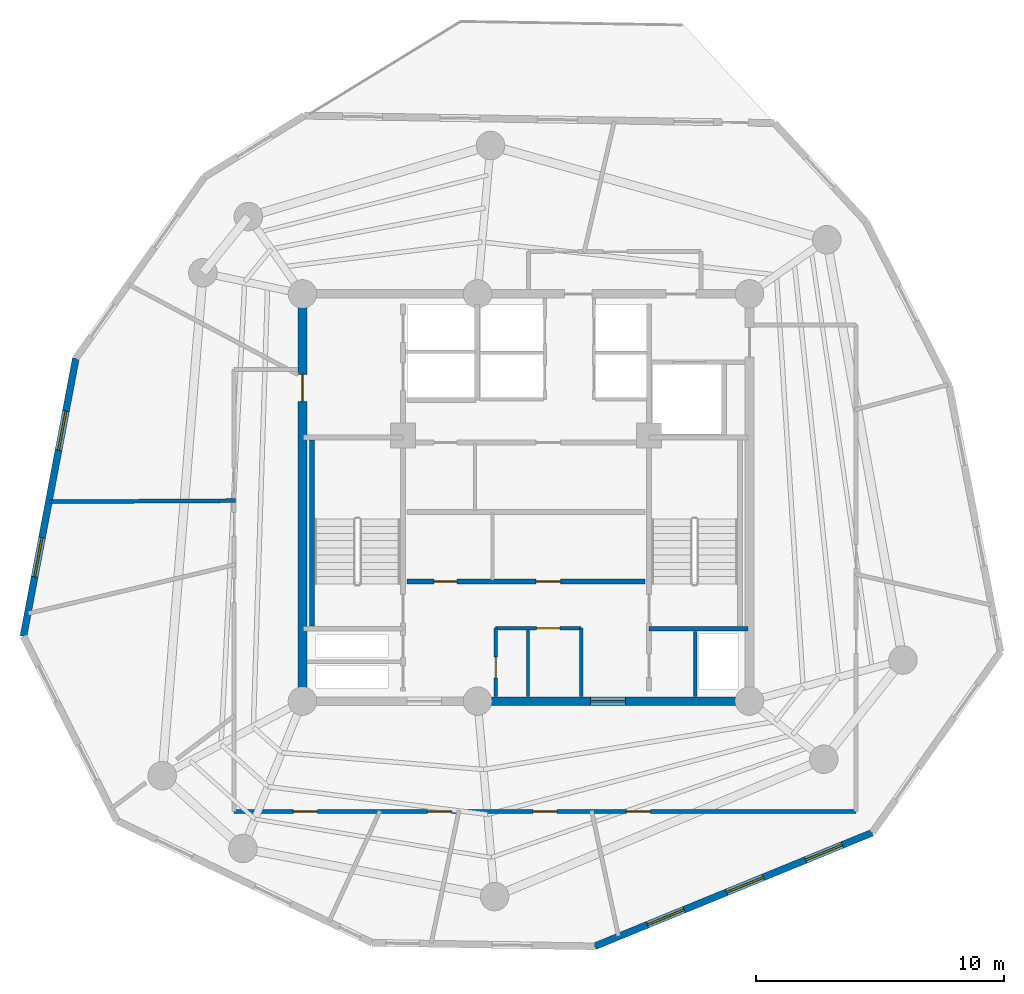
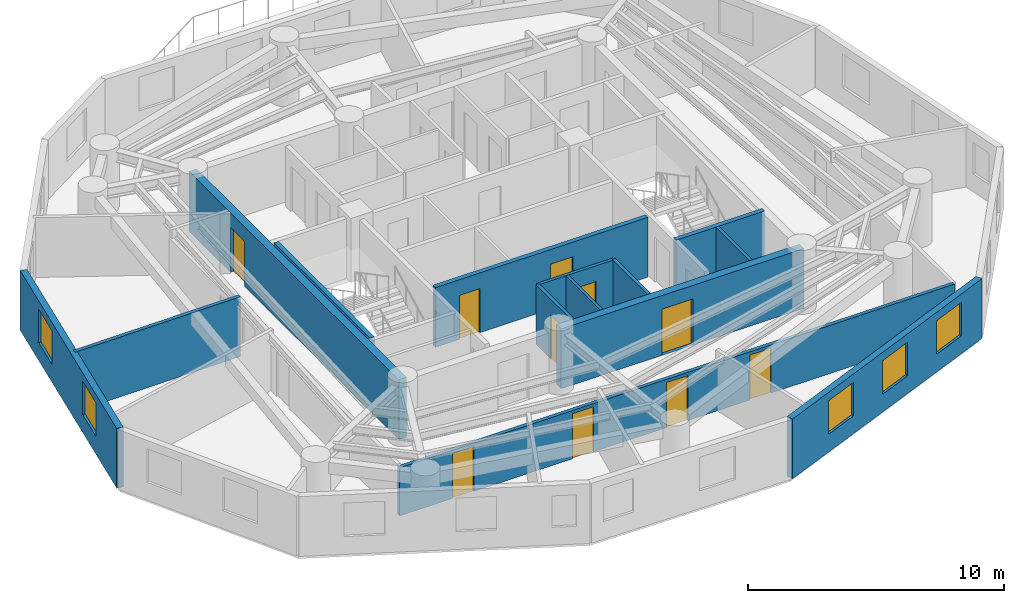
# One storey, part 3 of 7: 14 walls, 10 doors, 5 windows, 15 openings.
"""IFC4 building model written with IfcOpenShell, lengths in metres."""

from ifc_helpers import new_model, si_unit, direction, frame, frame_2d, origin, origin_with_axes, place, context, subcontext, project, spatial, rectangle, extrude, source, transform, mapped, material, layer, layer_set, type_object, element, fill, save


model = new_model("IFC4")

# Units and contexts
model_context = context("Model", 3, precision=1e-05, world=origin(), true_north=direction((0.0, 1.0)))
body_context = subcontext(model_context, "Body", "Model", "MODEL_VIEW")
ifc_project = project(units=[si_unit("LENGTHUNIT", "METRE"), si_unit("AREAUNIT", "SQUARE_METRE"), si_unit("VOLUMEUNIT", "CUBIC_METRE"), si_unit("PLANEANGLEUNIT", "RADIAN"), si_unit("MASSUNIT", "GRAM", prefix="KILO")], contexts=[model_context])

# Site, building, storey
site_placement = place(None, origin())
site = spatial("IfcSite", under=ifc_project, at=site_placement, CompositionType="ELEMENT")
building_placement = place(site_placement, origin())
building = spatial("IfcBuilding", under=site, at=building_placement, Name="Karkom Vertical University and Central Library", CompositionType="ELEMENT")
storey_placement = place(building_placement, frame((0.0, 0.0, 253.5)))
storey = spatial("IfcBuildingStorey", under=building, at=storey_placement, Name="L75", CompositionType="ELEMENT", Elevation=253.5)

# Wall, openings, windows
ifc_material_1 = material(Name="Brick-faced precast concrete C45/55", Category="masonry")
ifc_layer_1 = layer(ifc_material_1, 0.280029296875)
ifc_layer_set_1 = layer_set([ifc_layer_1], Name="Brick-faced precast concrete C45/55")
wall_type_1 = type_object("IfcWallType", Name="ENV-WL-BRK-280", PredefinedType="SOLIDWALL", material=ifc_layer_set_1)
wall_1_placement = place(storey_placement, frame((31.2607421875, 8.421875, 0.0), z_axis=(0.0, 0.0, 1.0), x_axis=(0.925486144164, 0.378781463328, 0.0)))
wall_1 = element("IfcWall", 1, at=wall_1_placement, inside=storey, type_object=wall_type_1, Name="Level 75 Brick-Faced Precast Facade Wall 03", PredefinedType="SOLIDWALL", context=body_context, shape_type="SweptSolid", body=[
    extrude(rectangle(XDim=12.089111328125, YDim=0.280029296875, at=frame_2d((6.04443359375, 0.0))), origin(), (0.0, 0.0, 1.0), 2.85009765625),
])
opening_1_placement = place(wall_1_placement, frame((2.30078125, 0.0, 0.85009765625)))
opening_1 = element("IfcOpeningElement", 2, at=opening_1_placement, cuts=wall_1, Name="Opening WN-10", PredefinedType="OPENING", context=body_context, shape_type="SweptSolid", body=[
    extrude(rectangle(XDim=1.60009765625, YDim=1.60009765625, at=frame_2d((0.800048828125, 0.800048828125))), frame((0.0, 0.14990234375, 0.0), z_axis=(0.0, -1.0, 0.0), x_axis=(1.0, 0.0, 0.0)), (0.0, 0.0, 1.0), 0.300048828125),
])
opening_2_placement = place(wall_1_placement, frame((5.743896484375, 0.0, 0.85009765625)))
opening_2 = element("IfcOpeningElement", 3, at=opening_2_placement, cuts=wall_1, Name="Opening WN-10", PredefinedType="OPENING", context=body_context, shape_type="SweptSolid", body=[
    extrude(rectangle(XDim=1.60009765625, YDim=1.60009765625, at=frame_2d((0.800048828125, 0.800048828125))), frame((0.0, 0.14990234375, 0.0), z_axis=(0.0, -1.0, 0.0), x_axis=(1.0, 0.0, 0.0)), (0.0, 0.0, 1.0), 0.300048828125),
])
opening_3_placement = place(wall_1_placement, frame((9.187255859375, 0.0, 0.85009765625)))
opening_3 = element("IfcOpeningElement", 4, at=opening_3_placement, cuts=wall_1, Name="Opening WN-10", PredefinedType="OPENING", context=body_context, shape_type="SweptSolid", body=[
    extrude(rectangle(XDim=1.60009765625, YDim=1.60009765625, at=frame_2d((0.800048828125, 0.800048828125))), frame((0.0, 0.14990234375, 0.0), z_axis=(0.0, -1.0, 0.0), x_axis=(1.0, 0.0, 0.0)), (0.0, 0.0, 1.0), 0.300048828125),
])
ifc_material_2 = material(Name="Aluminium thermal-break frame with solar-control IGU", Category="aluminium")
window_type = type_object("IfcWindowType", Name="ENV-WIN-WN-10", PartitioningType="SINGLE_PANEL", PredefinedType="WINDOW", material=ifc_material_2)
shared_shape_1 = source(origin_with_axes(), body_context, "Body", "SweptSolid", [
    extrude(rectangle(XDim=1.60009765625, YDim=1.60009765625, at=frame_2d((0.800048828125, 0.800048828125))), frame((0.0, 0.030029296875, 0.0), z_axis=(0.0, -1.0, 0.0), x_axis=(1.0, 0.0, 0.0)), (0.0, 0.0, 1.0), 0.06005859375),
])
window_1_placement = place(opening_1_placement, origin())
window_1 = element("IfcWindow", 5, at=window_1_placement, inside=storey, type_object=window_type, Name="Level 75 Punched Window 3.1", OverallHeight=1.60009765625, OverallWidth=1.60009765625, PartitioningType="SINGLE_PANEL", PredefinedType="WINDOW", context=body_context, shape_type="MappedRepresentation", body=[
    mapped(shared_shape_1, transform((0.0, 0.0, 0.0), scale=1.0)),
])
fill(opening_1, window_1)
window_2_placement = place(opening_2_placement, origin())
window_2 = element("IfcWindow", 6, at=window_2_placement, inside=storey, type_object=window_type, Name="Level 75 Punched Window 3.2", OverallHeight=1.60009765625, OverallWidth=1.60009765625, PartitioningType="SINGLE_PANEL", PredefinedType="WINDOW", context=body_context, shape_type="MappedRepresentation", body=[
    mapped(shared_shape_1, transform((0.0, 0.0, 0.0), scale=1.0)),
])
fill(opening_2, window_2)
window_3_placement = place(opening_3_placement, origin())
window_3 = element("IfcWindow", 7, at=window_3_placement, inside=storey, type_object=window_type, Name="Level 75 Punched Window 3.3", OverallHeight=1.60009765625, OverallWidth=1.60009765625, PartitioningType="SINGLE_PANEL", PredefinedType="WINDOW", context=body_context, shape_type="MappedRepresentation", body=[
    mapped(shared_shape_1, transform((0.0, 0.0, 0.0), scale=1.0)),
])
fill(opening_3, window_3)

wall_2_placement = place(storey_placement, frame((10.374267578125, 32.11181640625, 0.0), z_axis=(0.0, 0.0, 1.0), x_axis=(-0.185313823181, -0.982679391734, 0.0)))
wall_2 = element("IfcWall", 8, at=wall_2_placement, inside=storey, type_object=wall_type_1, Name="Level 75 Brick-Faced Precast Facade Wall 11", PredefinedType="SOLIDWALL", context=body_context, shape_type="SweptSolid", body=[
    extrude(rectangle(XDim=11.39990234375, YDim=0.280029296875, at=frame_2d((5.699951171875, 0.0))), origin(), (0.0, 0.0, 1.0), 2.85009765625),
])
opening_4_placement = place(wall_2_placement, frame((2.166259765625, 0.0, 0.85009765625)))
opening_4 = element("IfcOpeningElement", 9, at=opening_4_placement, cuts=wall_2, Name="Opening WN-10", PredefinedType="OPENING", context=body_context, shape_type="SweptSolid", body=[
    extrude(rectangle(XDim=1.60009765625, YDim=1.60009765625, at=frame_2d((0.800048828125, 0.800048828125))), frame((0.0, 0.14990234375, 0.0), z_axis=(0.0, -1.0, 0.0), x_axis=(1.0, 0.0, 0.0)), (0.0, 0.0, 1.0), 0.300048828125),
])
opening_5_placement = place(wall_2_placement, frame((7.356689453125, 0.0, 0.85009765625)))
opening_5 = element("IfcOpeningElement", 10, at=opening_5_placement, cuts=wall_2, Name="Opening WN-10", PredefinedType="OPENING", context=body_context, shape_type="SweptSolid", body=[
    extrude(rectangle(XDim=1.60009765625, YDim=1.60009765625, at=frame_2d((0.800048828125, 0.800048828125))), frame((0.0, 0.14990234375, 0.0), z_axis=(0.0, -1.0, 0.0), x_axis=(1.0, 0.0, 0.0)), (0.0, 0.0, 1.0), 0.300048828125),
])
window_4_placement = place(opening_4_placement, origin())
window_4 = element("IfcWindow", 11, at=window_4_placement, inside=storey, type_object=window_type, Name="Level 75 Punched Window 11.1", OverallHeight=1.60009765625, OverallWidth=1.60009765625, PartitioningType="SINGLE_PANEL", PredefinedType="WINDOW", context=body_context, shape_type="MappedRepresentation", body=[
    mapped(shared_shape_1, transform((0.0, 0.0, 0.0), scale=1.0)),
])
fill(opening_4, window_4)
window_5_placement = place(opening_5_placement, origin())
window_5 = element("IfcWindow", 12, at=window_5_placement, inside=storey, type_object=window_type, Name="Level 75 Punched Window 11.2", OverallHeight=1.60009765625, OverallWidth=1.60009765625, PartitioningType="SINGLE_PANEL", PredefinedType="WINDOW", context=body_context, shape_type="MappedRepresentation", body=[
    mapped(shared_shape_1, transform((0.0, 0.0, 0.0), scale=1.0)),
])
fill(opening_5, window_5)

# Wall, openings, doors
ifc_material_3 = material(Name="Insulated metal-stud drywall 160mm", Category="gypsum")
ifc_layer_2 = layer(ifc_material_3, 0.159912109375)
ifc_layer_set_2 = layer_set([ifc_layer_2], Name="Insulated metal-stud drywall 160mm")
wall_type_2 = type_object("IfcWallType", Name="INT-WL-COR-160", PredefinedType="PARTITIONING", material=ifc_layer_set_2)
wall_3_placement = place(storey_placement, frame((41.800048828125, 13.85009765625, 0.0), z_axis=(0.0, 0.0, 1.0), x_axis=(-1.0, 0.0, 0.0)))
wall_3 = element("IfcWall", 13, at=wall_3_placement, inside=storey, type_object=wall_type_2, Name="Level 75 Interior Partition Wall L75-CORW-CW-001", PredefinedType="PARTITIONING", context=body_context, shape_type="SweptSolid", body=[
    extrude(rectangle(XDim=25.050048828125, YDim=0.159912109375, at=frame_2d((12.52490234375, 0.0))), origin(), (0.0, 0.0, 1.0), 2.300048828125),
])
opening_6_placement = place(wall_3_placement, frame((21.70361328125, 0.0, 0.0)))
opening_6 = element("IfcOpeningElement", 14, at=opening_6_placement, cuts=wall_3, Name="Opening FD-RM2", PredefinedType="OPENING", context=body_context, shape_type="SweptSolid", body=[
    extrude(rectangle(XDim=0.9599609375, YDim=2.14990234375, at=frame_2d((0.47998046875, 1.074951171875))), frame((0.0, 0.08984375, 0.0), z_axis=(0.0, -1.0, 0.0), x_axis=(1.0, 0.0, 0.0)), (0.0, 0.0, 1.0), 0.179931640625),
])
opening_7_placement = place(wall_3_placement, frame((16.297607421875, 0.0, 0.0)))
opening_7 = element("IfcOpeningElement", 15, at=opening_7_placement, cuts=wall_3, Name="Opening FD-RM2", PredefinedType="OPENING", context=body_context, shape_type="SweptSolid", body=[
    extrude(rectangle(XDim=0.9599609375, YDim=2.14990234375, at=frame_2d((0.47998046875, 1.074951171875))), frame((0.0, 0.08984375, 0.0), z_axis=(0.0, -1.0, 0.0), x_axis=(1.0, 0.0, 0.0)), (0.0, 0.0, 1.0), 0.179931640625),
])
opening_8_placement = place(wall_3_placement, frame((12.050048828125, 0.0, 0.0)))
opening_8 = element("IfcOpeningElement", 16, at=opening_8_placement, cuts=wall_3, Name="Opening FD-RM2", PredefinedType="OPENING", context=body_context, shape_type="SweptSolid", body=[
    extrude(rectangle(XDim=0.9599609375, YDim=2.14990234375, at=frame_2d((0.47998046875, 1.074951171875))), frame((0.0, 0.08984375, 0.0), z_axis=(0.0, -1.0, 0.0), x_axis=(1.0, 0.0, 0.0)), (0.0, 0.0, 1.0), 0.179931640625),
])
opening_9_placement = place(wall_3_placement, frame((8.29248046875, 0.0, 0.0)))
opening_9 = element("IfcOpeningElement", 17, at=opening_9_placement, cuts=wall_3, Name="Opening FD-RM2", PredefinedType="OPENING", context=body_context, shape_type="SweptSolid", body=[
    extrude(rectangle(XDim=0.9599609375, YDim=2.14990234375, at=frame_2d((0.47998046875, 1.074951171875))), frame((0.0, 0.08984375, 0.0), z_axis=(0.0, -1.0, 0.0), x_axis=(1.0, 0.0, 0.0)), (0.0, 0.0, 1.0), 0.179931640625),
])
ifc_material_4 = material(Name="Fire-rated oak veneer door", Category="wood")
door_type_1 = type_object("IfcDoorType", Name="INT-DR-FRM2", OperationType="NOTDEFINED", PredefinedType="DOOR", material=ifc_material_4)
shared_shape_2 = source(origin_with_axes(), body_context, "Body", "SweptSolid", [
    extrude(rectangle(XDim=0.9599609375, YDim=2.14990234375, at=frame_2d((0.47998046875, 1.074951171875))), frame((0.0, 0.02490234375, 0.0), z_axis=(0.0, -1.0, 0.0), x_axis=(1.0, 0.0, 0.0)), (0.0, 0.0, 1.0), 0.050048828125),
])
door_1_placement = place(opening_6_placement, origin())
door_1 = element("IfcDoor", 18, at=door_1_placement, inside=storey, type_object=door_type_1, Name="Level 75 Room Entry Door 302", OperationType="SINGLE_SWING_LEFT", OverallHeight=2.14990234375, OverallWidth=0.9599609375, PredefinedType="DOOR", context=body_context, shape_type="MappedRepresentation", body=[
    mapped(shared_shape_2, transform((0.0, 0.0, 0.0), scale=1.0)),
])
fill(opening_6, door_1)
door_2_placement = place(opening_7_placement, origin())
door_2 = element("IfcDoor", 19, at=door_2_placement, inside=storey, type_object=door_type_1, Name="Level 75 Room Entry Door 303", OperationType="SINGLE_SWING_RIGHT", OverallHeight=2.14990234375, OverallWidth=0.9599609375, PredefinedType="DOOR", context=body_context, shape_type="MappedRepresentation", body=[
    mapped(shared_shape_2, transform((0.0, 0.0, 0.0), scale=1.0)),
])
fill(opening_7, door_2)
door_3_placement = place(opening_8_placement, origin())
door_3 = element("IfcDoor", 20, at=door_3_placement, inside=storey, type_object=door_type_1, Name="Level 75 Room Entry Door 304", OperationType="SINGLE_SWING_LEFT", OverallHeight=2.14990234375, OverallWidth=0.9599609375, PredefinedType="DOOR", context=body_context, shape_type="MappedRepresentation", body=[
    mapped(shared_shape_2, transform((0.0, 0.0, 0.0), scale=1.0)),
])
fill(opening_8, door_3)
door_4_placement = place(opening_9_placement, origin())
door_4 = element("IfcDoor", 21, at=door_4_placement, inside=storey, type_object=door_type_1, Name="Level 75 Room Entry Door 305", OperationType="SINGLE_SWING_RIGHT", OverallHeight=2.14990234375, OverallWidth=0.9599609375, PredefinedType="DOOR", context=body_context, shape_type="MappedRepresentation", body=[
    mapped(shared_shape_2, transform((0.0, 0.0, 0.0), scale=1.0)),
])
fill(opening_9, door_4)

# Walls
wall_4_placement = place(storey_placement, frame((9.310302734375, 26.329345703125, 0.0), z_axis=(0.0, 0.0, 1.0), x_axis=(0.999983334512, 0.005773274519, 0.0)))
element("IfcWall", 22, at=wall_4_placement, inside=storey, type_object=wall_type_2, Name="Level 75 Interior Partition Wall L75-PW-002", PredefinedType="PARTITIONING", context=body_context, shape_type="SweptSolid", body=[
    extrude(rectangle(XDim=7.485107421875, YDim=0.159912109375, at=frame_2d((3.74267578125, 0.0))), origin(), (0.0, 0.0, 1.0), 2.85009765625),
])
ifc_material_5 = material(Name="Moisture-resistant drywall 120mm", Category="gypsum")
ifc_layer_3 = layer(ifc_material_5, 0.1201171875)
ifc_layer_set_3 = layer_set([ifc_layer_3], Name="Moisture-resistant drywall 120mm")
wall_type_3 = type_object("IfcWallType", Name="INT-WL-INT-120", PredefinedType="PARTITIONING", material=ifc_layer_set_3)
wall_5_placement = place(storey_placement, frame((28.580078125, 18.48193359375, 0.0), z_axis=(0.0, 0.0, 1.0), x_axis=(0.0, 1.0, 0.0)))
element("IfcWall", 23, at=wall_5_placement, inside=storey, type_object=wall_type_3, Name="Level 75 Interior Partition Wall L75-CW-K2-DIV", PredefinedType="PARTITIONING", context=body_context, shape_type="SweptSolid", body=[
    extrude(rectangle(XDim=2.687255859375, YDim=0.1201171875, at=frame_2d((1.34375, 0.0))), origin(), (0.0, 0.0, 1.0), 2.85009765625),
])

# Wall, opening, door
ifc_material_6 = material(Name="Metal-stud gypsum partition 140mm", Category="gypsum")
ifc_layer_4 = layer(ifc_material_6, 0.139892578125)
ifc_layer_set_4 = layer_set([ifc_layer_4], Name="Metal-stud gypsum partition 140mm")
wall_type_4 = type_object("IfcWallType", Name="INT-WL-SUB-140", PredefinedType="PARTITIONING", material=ifc_layer_set_4)
wall_6_placement = place(storey_placement, frame((27.280029296875, 21.239990234375, 0.0), z_axis=(0.0, 0.0, 1.0), x_axis=(1.0, 0.0, 0.0)))
wall_6 = element("IfcWall", 24, at=wall_6_placement, inside=storey, type_object=wall_type_4, Name="Level 75 Interior Partition Wall L75-CW-KBAY-N", PredefinedType="PARTITIONING", context=body_context, shape_type="SweptSolid", body=[
    extrude(rectangle(XDim=3.43994140625, YDim=0.139892578125, at=frame_2d((1.719970703125, 0.0))), origin(), (0.0, 0.0, 1.0), 2.85009765625),
])
opening_10_placement = place(wall_6_placement, frame((1.64990234375, 0.0, 0.0)))
opening_10 = element("IfcOpeningElement", 25, at=opening_10_placement, cuts=wall_6, Name="Opening D-WC1", PredefinedType="OPENING", context=body_context, shape_type="SweptSolid", body=[
    extrude(rectangle(XDim=0.93994140625, YDim=2.10009765625, at=frame_2d((0.469970703125, 1.050048828125))), frame((0.0, 0.080078125, 0.0), z_axis=(0.0, -1.0, 0.0), x_axis=(1.0, 0.0, 0.0)), (0.0, 0.0, 1.0), 0.159912109375),
])
ifc_material_7 = material(Name="Fire-rated laminate moisture-resistant door", Category="wood")
door_type_2 = type_object("IfcDoorType", Name="INT-DR-WC1", OperationType="NOTDEFINED", PredefinedType="DOOR", material=ifc_material_7)
shared_shape_3 = source(origin_with_axes(), body_context, "Body", "SweptSolid", [
    extrude(rectangle(XDim=0.93994140625, YDim=2.10009765625, at=frame_2d((0.469970703125, 1.050048828125))), frame((0.0, 0.02490234375, 0.0), z_axis=(0.0, -1.0, 0.0), x_axis=(1.0, 0.0, 0.0)), (0.0, 0.0, 1.0), 0.050048828125),
])
door_5_placement = place(opening_10_placement, origin())
door_5 = element("IfcDoor", 26, at=door_5_placement, inside=storey, type_object=door_type_2, Name="Level 75 Staff WC Door", OperationType="SINGLE_SWING_LEFT", OverallHeight=2.10009765625, OverallWidth=0.93994140625, PredefinedType="DOOR", context=body_context, shape_type="MappedRepresentation", body=[
    mapped(shared_shape_3, transform((0.0, 0.0, 0.0), scale=1.0)),
])
fill(opening_10, door_5)

wall_7_placement = place(storey_placement, frame((27.280029296875, 18.48193359375, 0.0), z_axis=(0.0, 0.0, 1.0), x_axis=(0.0, 1.0, 0.0)))
wall_7 = element("IfcWall", 27, at=wall_7_placement, inside=storey, type_object=wall_type_4, Name="Level 75 Interior Partition Wall L75-CW-KBAY-W", PredefinedType="PARTITIONING", context=body_context, shape_type="SweptSolid", body=[
    extrude(rectangle(XDim=2.758056640625, YDim=0.139892578125, at=frame_2d((1.37890625, 0.0))), origin(), (0.0, 0.0, 1.0), 2.85009765625),
])
opening_11_placement = place(wall_7_placement, frame((0.739990234375, 0.0, 0.0)))
opening_11 = element("IfcOpeningElement", 28, at=opening_11_placement, cuts=wall_7, Name="Opening D-BATH", PredefinedType="OPENING", context=body_context, shape_type="SweptSolid", body=[
    extrude(rectangle(XDim=0.860107421875, YDim=2.10009765625, at=frame_2d((0.43017578125, 1.050048828125))), frame((0.0, 0.080078125, 0.0), z_axis=(0.0, -1.0, 0.0), x_axis=(1.0, 0.0, 0.0)), (0.0, 0.0, 1.0), 0.159912109375),
])
ifc_material_8 = material(Name="Moisture-resistant oak door", Category="wood")
door_type_3 = type_object("IfcDoorType", Name="INT-DR-BATH", OperationType="NOTDEFINED", PredefinedType="DOOR", material=ifc_material_8)
shared_shape_4 = source(origin_with_axes(), body_context, "Body", "SweptSolid", [
    extrude(rectangle(XDim=0.860107421875, YDim=2.10009765625, at=frame_2d((0.43017578125, 1.050048828125))), frame((0.0, 0.02490234375, 0.0), z_axis=(0.0, -1.0, 0.0), x_axis=(1.0, 0.0, 0.0)), (0.0, 0.0, 1.0), 0.050048828125),
])
door_6_placement = place(opening_11_placement, origin())
door_6 = element("IfcDoor", 29, at=door_6_placement, inside=storey, type_object=door_type_3, Name="Level 75 Cleaners Store Door", OperationType="SINGLE_SWING_RIGHT", OverallHeight=2.10009765625, OverallWidth=0.860107421875, PredefinedType="DOOR", context=body_context, shape_type="MappedRepresentation", body=[
    mapped(shared_shape_4, transform((0.0, 0.0, 0.0), scale=1.0)),
])
fill(opening_11, door_6)

# Walls
wall_8_placement = place(storey_placement, frame((30.719970703125, 18.48193359375, 0.0), z_axis=(0.0, 0.0, 1.0), x_axis=(0.0, 1.0, 0.0)))
element("IfcWall", 30, at=wall_8_placement, inside=storey, type_object=wall_type_4, Name="Level 75 Interior Partition Wall L75-CW-KBAY-E", PredefinedType="PARTITIONING", context=body_context, shape_type="SweptSolid", body=[
    extrude(rectangle(XDim=2.758056640625, YDim=0.139892578125, at=frame_2d((1.37890625, 0.0))), origin(), (0.0, 0.0, 1.0), 2.85009765625),
])
ifc_layer_5 = layer(ifc_material_6, 0.139892578125)
ifc_layer_set_5 = layer_set([ifc_layer_5], Name="Metal-stud gypsum partition 140mm")
wall_type_5 = type_object("IfcWallType", Name="INT-WL-SUB-140H", PredefinedType="PARTITIONING", material=ifc_layer_set_5)
wall_9_placement = place(storey_placement, frame((35.320068359375, 18.48193359375, 0.0), z_axis=(0.0, 0.0, 1.0), x_axis=(0.0, 1.0, 0.0)))
element("IfcWall", 31, at=wall_9_placement, inside=storey, type_object=wall_type_5, Name="Level 75 Interior Partition Wall L75-CW-RIS-E", PredefinedType="PARTITIONING", context=body_context, shape_type="SweptSolid", body=[
    extrude(rectangle(XDim=2.629150390625, YDim=0.139892578125, at=frame_2d((1.314453125, 0.0))), origin(), (0.0, 0.0, 1.0), 2.85009765625),
])

# Wall, opening, door
ifc_material_9 = material(Name="Concrete C45/55", Category="concrete")
ifc_layer_6 = layer(ifc_material_9, 0.35009765625)
ifc_layer_set_6 = layer_set([ifc_layer_6], Name="Concrete C45/55")
wall_type_6 = type_object("IfcWallType", Name="STR-WL-CW-350", PredefinedType="SHEAR", material=ifc_layer_set_6)
wall_10_placement = place(storey_placement, frame((26.550048828125, 18.300048828125, 0.0), z_axis=(0.0, 0.0, 1.0), x_axis=(1.0, 0.0, 0.0)))
wall_10 = element("IfcWall", 32, at=wall_10_placement, inside=storey, type_object=wall_type_6, Name="Level 75 Central Core Shear Wall SW2", PredefinedType="SHEAR", context=body_context, shape_type="SweptSolid", body=[
    extrude(rectangle(XDim=10.949951171875, YDim=0.35009765625, at=frame_2d((5.47509765625, 0.0))), origin(), (0.0, 0.0, 1.0), 2.85009765625),
])
opening_12_placement = place(wall_10_placement, frame((4.550048828125, 0.0, 0.0)))
opening_12 = element("IfcOpeningElement", 33, at=opening_12_placement, cuts=wall_10, Name="Opening FD-CLB", PredefinedType="OPENING", context=body_context, shape_type="SweptSolid", body=[
    extrude(rectangle(XDim=1.39990234375, YDim=2.199951171875, at=frame_2d((0.699951171875, 1.10009765625))), frame((0.0, 0.18505859375, 0.0), z_axis=(0.0, -1.0, 0.0), x_axis=(1.0, 0.0, 0.0)), (0.0, 0.0, 1.0), 0.3701171875),
])
ifc_material_10 = material(Name="Painted steel fire door", Category="steel")
door_type_4 = type_object("IfcDoorType", Name="INT-DR-CLB", OperationType="DOUBLE_DOOR_SINGLE_SWING", PredefinedType="DOOR", material=ifc_material_10)
shared_shape_5 = source(origin_with_axes(), body_context, "Body", "SweptSolid", [
    extrude(rectangle(XDim=1.39990234375, YDim=2.199951171875, at=frame_2d((0.699951171875, 1.10009765625))), frame((0.0, 0.02490234375, 0.0), z_axis=(0.0, -1.0, 0.0), x_axis=(1.0, 0.0, 0.0)), (0.0, 0.0, 1.0), 0.050048828125),
])
door_7_placement = place(opening_12_placement, origin())
door_7 = element("IfcDoor", 34, at=door_7_placement, inside=storey, type_object=door_type_4, Name="Level 75 South Core Lobby East Exit Door", OperationType="DOUBLE_DOOR_SINGLE_SWING", OverallHeight=2.199951171875, OverallWidth=1.39990234375, PredefinedType="DOOR", context=body_context, shape_type="MappedRepresentation", body=[
    mapped(shared_shape_5, transform((0.0, 0.0, 0.0), scale=1.0)),
])
fill(opening_12, door_7)

wall_11_placement = place(storey_placement, frame((19.5, 34.699951171875, 0.0), z_axis=(0.0, 0.0, 1.0), x_axis=(0.0, -1.0, 0.0)))
wall_11 = element("IfcWall", 35, at=wall_11_placement, inside=storey, type_object=wall_type_6, Name="Level 75 Central Core Shear Wall WW", PredefinedType="SHEAR", context=body_context, shape_type="SweptSolid", body=[
    extrude(rectangle(XDim=16.39990234375, YDim=0.35009765625, at=frame_2d((8.199951171875, 0.0))), origin(), (0.0, 0.0, 1.0), 2.85009765625),
])
opening_13_placement = place(wall_11_placement, frame((3.239990234375, 0.0, 0.0)))
opening_13 = element("IfcOpeningElement", 36, at=opening_13_placement, cuts=wall_11, Name="Opening FD-FFL", PredefinedType="OPENING", context=body_context, shape_type="SweptSolid", body=[
    extrude(rectangle(XDim=1.10009765625, YDim=2.14990234375, at=frame_2d((0.550048828125, 1.074951171875))), frame((0.0, 0.18505859375, 0.0), z_axis=(0.0, -1.0, 0.0), x_axis=(1.0, 0.0, 0.0)), (0.0, 0.0, 1.0), 0.3701171875),
])
ifc_material_11 = material(Name="Painted steel smoke-seal fire door", Category="steel")
door_type_5 = type_object("IfcDoorType", Name="INT-DR-FFL", OperationType="NOTDEFINED", PredefinedType="DOOR", material=ifc_material_11)
shared_shape_6 = source(origin_with_axes(), body_context, "Body", "SweptSolid", [
    extrude(rectangle(XDim=1.10009765625, YDim=2.14990234375, at=frame_2d((0.550048828125, 1.074951171875))), frame((0.0, 0.02490234375, 0.0), z_axis=(0.0, -1.0, 0.0), x_axis=(1.0, 0.0, 0.0)), (0.0, 0.0, 1.0), 0.050048828125),
])
door_8_placement = place(opening_13_placement, origin())
door_8 = element("IfcDoor", 37, at=door_8_placement, inside=storey, type_object=door_type_5, Name="Level 75 West Corridor Firefighting Lobby Door", OperationType="SINGLE_SWING_RIGHT", OverallHeight=2.14990234375, OverallWidth=1.10009765625, PredefinedType="DOOR", context=body_context, shape_type="MappedRepresentation", body=[
    mapped(shared_shape_6, transform((0.0, 0.0, 0.0), scale=1.0)),
])
fill(opening_13, door_8)

# Wall, openings, doors
ifc_layer_7 = layer(ifc_material_9, 0.199951171875)
ifc_layer_set_7 = layer_set([ifc_layer_7], Name="Concrete C45/55")
wall_type_7 = type_object("IfcWallType", Name="STR-WL-ST-200", PredefinedType="SHEAR", material=ifc_layer_set_7)
wall_12_placement = place(storey_placement, frame((23.699951171875, 23.1201171875, 0.0), z_axis=(0.0, 0.0, 1.0), x_axis=(1.0, 0.0, 0.0)))
wall_12 = element("IfcWall", 38, at=wall_12_placement, inside=storey, type_object=wall_type_7, Name="Level 75 Core Shaft Wall L75-CW-B1-S", PredefinedType="SHEAR", context=body_context, shape_type="SweptSolid", body=[
    extrude(rectangle(XDim=9.60009765625, YDim=0.199951171875, at=frame_2d((4.800048828125, 0.0))), origin(), (0.0, 0.0, 1.0), 2.85009765625),
])
opening_14_placement = place(wall_12_placement, frame((1.10009765625, 0.0, 0.0)))
opening_14 = element("IfcOpeningElement", 39, at=opening_14_placement, cuts=wall_12, Name="Opening D-SVC1", PredefinedType="OPENING", context=body_context, shape_type="SweptSolid", body=[
    extrude(rectangle(XDim=0.919921875, YDim=2.10009765625, at=frame_2d((0.4599609375, 1.050048828125))), frame((0.0, 0.10986328125, 0.0), z_axis=(0.0, -1.0, 0.0), x_axis=(1.0, 0.0, 0.0)), (0.0, 0.0, 1.0), 0.219970703125),
])
opening_15_placement = place(wall_12_placement, frame((5.199951171875, 0.0, 0.0)))
opening_15 = element("IfcOpeningElement", 40, at=opening_15_placement, cuts=wall_12, Name="Opening D-STR1", PredefinedType="OPENING", context=body_context, shape_type="SweptSolid", body=[
    extrude(rectangle(XDim=1.0, YDim=2.14990234375, at=frame_2d((0.5, 1.074951171875))), frame((0.0, 0.10986328125, 0.0), z_axis=(0.0, -1.0, 0.0), x_axis=(1.0, 0.0, 0.0)), (0.0, 0.0, 1.0), 0.219970703125),
])
ifc_material_12 = material(Name="Painted timber service door", Category="wood")
door_type_6 = type_object("IfcDoorType", Name="INT-DR-SVC1", OperationType="NOTDEFINED", PredefinedType="DOOR", material=ifc_material_12)
shared_shape_7 = source(origin_with_axes(), body_context, "Body", "SweptSolid", [
    extrude(rectangle(XDim=0.919921875, YDim=2.10009765625, at=frame_2d((0.4599609375, 1.050048828125))), frame((0.0, 0.02490234375, 0.0), z_axis=(0.0, -1.0, 0.0), x_axis=(1.0, 0.0, 0.0)), (0.0, 0.0, 1.0), 0.050048828125),
])
door_9_placement = place(opening_14_placement, origin())
door_9 = element("IfcDoor", 41, at=door_9_placement, inside=storey, type_object=door_type_6, Name="Level 75 B1 West Store Door", OperationType="SINGLE_SWING_RIGHT", OverallHeight=2.10009765625, OverallWidth=0.919921875, PredefinedType="DOOR", context=body_context, shape_type="MappedRepresentation", body=[
    mapped(shared_shape_7, transform((0.0, 0.0, 0.0), scale=1.0)),
])
fill(opening_14, door_9)
ifc_material_13 = material(Name="Solid-core hardwood fire door", Category="wood")
door_type_7 = type_object("IfcDoorType", Name="INT-DR-STR1", OperationType="NOTDEFINED", PredefinedType="DOOR", material=ifc_material_13)
shared_shape_8 = source(origin_with_axes(), body_context, "Body", "SweptSolid", [
    extrude(rectangle(XDim=1.0, YDim=2.14990234375, at=frame_2d((0.5, 1.074951171875))), frame((0.0, 0.02490234375, 0.0), z_axis=(0.0, -1.0, 0.0), x_axis=(1.0, 0.0, 0.0)), (0.0, 0.0, 1.0), 0.050048828125),
])
door_10_placement = place(opening_15_placement, origin())
door_10 = element("IfcDoor", 42, at=door_10_placement, inside=storey, type_object=door_type_7, Name="Level 75 B1 East Study Office Door", OperationType="SINGLE_SWING_LEFT", OverallHeight=2.14990234375, OverallWidth=1.0, PredefinedType="DOOR", context=body_context, shape_type="MappedRepresentation", body=[
    mapped(shared_shape_8, transform((0.0, 0.0, 0.0), scale=1.0)),
])
fill(opening_15, door_10)

# Walls
wall_13_placement = place(storey_placement, frame((19.875, 21.320068359375, 0.0), z_axis=(0.0, 0.0, 1.0), x_axis=(0.0, 1.0, 0.0)))
element("IfcWall", 43, at=wall_13_placement, inside=storey, type_object=wall_type_7, Name="Level 75 Core Shaft Wall L75-CW-ST1-W", PredefinedType="SHEAR", context=body_context, shape_type="SweptSolid", body=[
    extrude(rectangle(XDim=7.5, YDim=0.199951171875, at=frame_2d((3.75, 0.0))), origin(), (0.0, 0.0, 1.0), 2.85009765625),
])
wall_14_placement = place(storey_placement, frame((33.455078125, 21.215087890625, 0.0), z_axis=(0.0, 0.0, 1.0), x_axis=(1.0, 0.0, 0.0)))
element("IfcWall", 44, at=wall_14_placement, inside=storey, type_object=wall_type_7, Name="Level 75 Core Shaft Wall L75-CW-ST2-S", PredefinedType="SHEAR", context=body_context, shape_type="SweptSolid", body=[
    extrude(rectangle(XDim=3.994873046875, YDim=0.199951171875, at=frame_2d((1.99755859375, 0.0))), origin(), (0.0, 0.0, 1.0), 2.85009765625),
])

save(model, "model.ifc")
